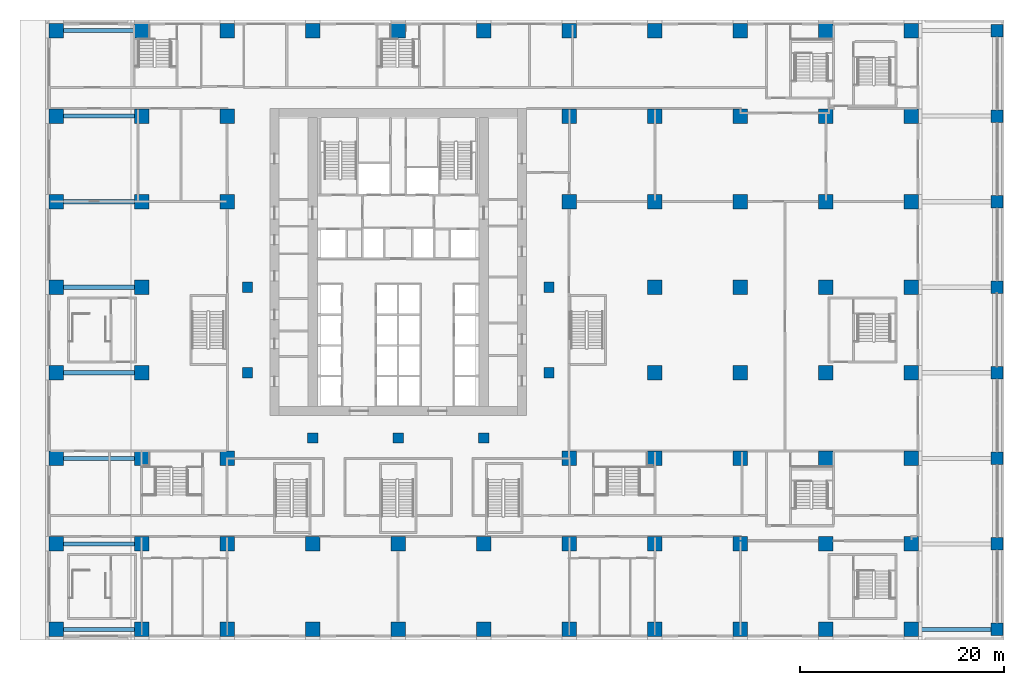
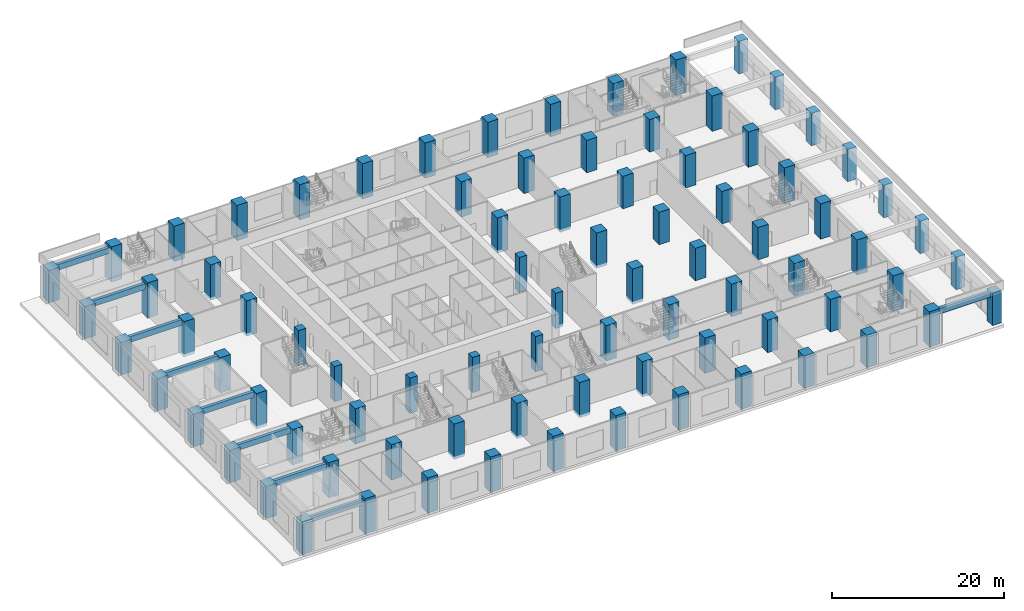
# One storey, part 1 of 29: 84 columns, 9 beams.
"""IFC4 building model written with IfcOpenShell, lengths in metres."""

from ifc_helpers import new_model, si_unit, direction, frame, origin, origin_2d, place, context, subcontext, project, spatial, rectangle, extrude, material, material_profile, profile_set, type_object, element, save


model = new_model("IFC4")

# Units and contexts
model_context = context("Model", 3, precision=1e-05, world=origin(), true_north=direction((0.0, 1.0)))
body_context = subcontext(model_context, "Body", "Model", "MODEL_VIEW")
ifc_project = project(units=[si_unit("LENGTHUNIT", "METRE"), si_unit("AREAUNIT", "SQUARE_METRE"), si_unit("VOLUMEUNIT", "CUBIC_METRE"), si_unit("PLANEANGLEUNIT", "RADIAN"), si_unit("MASSUNIT", "GRAM", prefix="KILO")], contexts=[model_context])

# Site, building, storey
site_placement = place(None, origin())
site = spatial("IfcSite", under=ifc_project, at=site_placement, CompositionType="ELEMENT")
building_placement = place(site_placement, origin())
building = spatial("IfcBuilding", under=site, at=building_placement, Name="Vermilion Ogive Tower", CompositionType="ELEMENT")
storey_placement = place(building_placement, frame((0.0, 0.0, 7.5)))
storey = spatial("IfcBuildingStorey", under=building, at=storey_placement, Name="L01", CompositionType="ELEMENT", Elevation=7.5)

# Columns
ifc_material_1 = material(Name="Concrete B80", Category="concrete")
ifc_material_profile_1 = material_profile(ifc_material_1, rectangle(XDim=1.39990234375, YDim=1.39990234375, at=origin_2d()), Name="1400 x 1400")
ifc_profile_set_1 = profile_set([ifc_material_profile_1], Name="Concrete B80")
column_type_1 = type_object("IfcColumnType", Name="Perimeter column 1400 x 1400 B80", PredefinedType="COLUMN", material=ifc_profile_set_1)
for number, where, z_axis, x_axis, name in (
    (1, (-16.800048828125, -21.0, -0.39990234375), (0.0, 0.0, 1.0), (1.0, 0.0, 0.0), "COL-L01-P-0168-210"),
    (2, (-8.39990234375, -21.0, -0.39990234375), (0.0, 0.0, 1.0), (1.0, 0.0, 0.0), "COL-L01-P-0084-210"),
    (3, (0.0, -21.0, -0.39990234375), (0.0, 0.0, 1.0), (1.0, 0.0, 0.0), "COL-L01-P+0000-210"),
    (4, (8.39990234375, -21.0, -0.39990234375), (0.0, 0.0, 1.0), (1.0, 0.0, 0.0), "COL-L01-P+0084-210"),
    (5, (16.800048828125, -21.0, -0.39990234375), (0.0, 0.0, 1.0), (1.0, 0.0, 0.0), "COL-L01-P+0168-210"),
    (6, (-25.199951171875, -12.60009765625, -0.39990234375), (0.0, 0.0, 1.0), (1.0, 0.0, 0.0), "COL-L01-P-0252-126"),
    (7, (-16.800048828125, -12.60009765625, -0.39990234375), (0.0, 0.0, 1.0), (1.0, 0.0, 0.0), "COL-L01-P-0168-126"),
    (8, (16.800048828125, -12.60009765625, -0.39990234375), (0.0, 0.0, 1.0), (1.0, 0.0, 0.0), "COL-L01-P+0168-126"),
    (9, (25.199951171875, -12.60009765625, -0.39990234375), (0.0, 0.0, 1.0), (1.0, 0.0, 0.0), "COL-L01-P+0252-126"),
    (10, (-25.199951171875, -4.199951171875, -0.39990234375), (0.0, 0.0, 1.0), (1.0, 0.0, 0.0), "COL-L01-P-0252-042"),
    (11, (25.199951171875, -4.199951171875, -0.39990234375), (0.0, 0.0, 1.0), (1.0, 0.0, 0.0), "COL-L01-P+0252-042"),
    (12, (-25.199951171875, 4.199951171875, -0.39990234375), (0.0, 0.0, 1.0), (1.0, 0.0, 0.0), "COL-L01-P-0252+042"),
    (13, (25.199951171875, 4.199951171875, -0.39990234375), (0.0, 0.0, 1.0), (1.0, 0.0, 0.0), "COL-L01-P+0252+042"),
    (14, (-25.199951171875, 12.60009765625, -0.39990234375), (0.0, 0.0, 1.0), (1.0, 0.0, 0.0), "COL-L01-P-0252+126"),
    (15, (-16.800048828125, 12.60009765625, -0.39990234375), (0.0, 0.0, 1.0), (1.0, 0.0, 0.0), "COL-L01-P-0168+126"),
    (16, (16.800048828125, 12.60009765625, -0.39990234375), (0.0, 0.0, 1.0), (1.0, 0.0, 0.0), "COL-L01-P+0168+126"),
    (17, (25.199951171875, 12.60009765625, -0.39990234375), (0.0, 0.0, 1.0), (1.0, 0.0, 0.0), "COL-L01-P+0252+126"),
    (18, (-16.800048828125, 21.0, -0.39990234375), (0.0, 0.0, 1.0), (1.0, 0.0, 0.0), "COL-L01-P-0168+210"),
    (19, (16.800048828125, 21.0, -0.39990234375), (0.0, 0.0, 1.0), (1.0, 0.0, 0.0), "COL-L01-P+0168+210"),
):
    element("IfcColumn", number, at=place(storey_placement, frame(where, z_axis=z_axis, x_axis=x_axis)), inside=storey, type_object=column_type_1, Name=name, PredefinedType="COLUMN", context=body_context, shape_type="SweptSolid", body=[
        extrude(rectangle(XDim=1.39990234375, YDim=1.39990234375, at=origin_2d()), origin(), (0.0, 0.0, 1.0), 5.0),
    ])
ifc_material_2 = material(Name="Concrete B60", Category="concrete")
ifc_material_profile_2 = material_profile(ifc_material_2, rectangle(XDim=1.199951171875, YDim=1.199951171875, at=origin_2d()), Name="RC 1200x1200")
ifc_profile_set_2 = profile_set([ifc_material_profile_2], Name="Concrete B60")
column_type_2 = type_object("IfcColumnType", Name="Podium column RC 1200", PredefinedType="COLUMN", material=ifc_profile_set_2)
for number, where, z_axis, x_axis, name in (
    (20, (58.800048828125, -29.39990234375, 0.0), (0.0, 0.0, 1.0), (1.0, 0.0, 0.0), "Column 1.2 L01"),
    (21, (58.800048828125, -21.0, 0.0), (0.0, 0.0, 1.0), (1.0, 0.0, 0.0), "Column 1.2 L01"),
    (22, (58.800048828125, -12.60009765625, 0.0), (0.0, 0.0, 1.0), (1.0, 0.0, 0.0), "Column 1.2 L01"),
    (23, (58.800048828125, -4.199951171875, 0.0), (0.0, 0.0, 1.0), (1.0, 0.0, 0.0), "Column 1.2 L01"),
    (24, (58.800048828125, 4.199951171875, 0.0), (0.0, 0.0, 1.0), (1.0, 0.0, 0.0), "Column 1.2 L01"),
    (25, (58.800048828125, 12.60009765625, 0.0), (0.0, 0.0, 1.0), (1.0, 0.0, 0.0), "Column 1.2 L01"),
    (26, (58.800048828125, 21.0, 0.0), (0.0, 0.0, 1.0), (1.0, 0.0, 0.0), "Column 1.2 L01"),
    (27, (58.800048828125, 29.39990234375, 0.0), (0.0, 0.0, 1.0), (1.0, 0.0, 0.0), "Column 1.2 L01"),
):
    element("IfcColumn", number, at=place(storey_placement, frame(where, z_axis=z_axis, x_axis=x_axis)), inside=storey, type_object=column_type_2, Name=name, PredefinedType="COLUMN", context=body_context, shape_type="SweptSolid", body=[
        extrude(rectangle(XDim=1.199951171875, YDim=1.199951171875, at=origin_2d()), origin(), (0.0, 0.0, 1.0), 4.60009765625),
    ])
ifc_material_3 = material(Name="Concrete B60", Category="concrete")
ifc_material_profile_3 = material_profile(ifc_material_3, rectangle(XDim=1.39990234375, YDim=1.39990234375, at=origin_2d()), Name="RC 1400x1400")
ifc_profile_set_3 = profile_set([ifc_material_profile_3], Name="Concrete B60")
column_type_3 = type_object("IfcColumnType", Name="Podium column RC 1400", PredefinedType="COLUMN", material=ifc_profile_set_3)
column_1_placement = place(storey_placement, frame((-33.60009765625, -29.39990234375, 0.0), z_axis=(0.0, 0.0, 1.0), x_axis=(1.0, 0.0, 0.0)))
element("IfcColumn", 28, at=column_1_placement, inside=storey, type_object=column_type_3, Name="Column 1.4 L01", PredefinedType="COLUMN", context=body_context, shape_type="SweptSolid", body=[
    extrude(rectangle(XDim=1.39990234375, YDim=1.39990234375, at=origin_2d()), origin(), (0.0, 0.0, 1.0), 4.60009765625),
])
for number, where, z_axis, x_axis, name in (
    (29, (-25.199951171875, -29.39990234375, 0.0), (0.0, 0.0, 1.0), (1.0, 0.0, 0.0), "Column 1.4 L01"),
    (30, (-16.800048828125, -29.39990234375, 0.0), (0.0, 0.0, 1.0), (1.0, 0.0, 0.0), "Column 1.4 L01"),
    (31, (-8.39990234375, -29.39990234375, 0.0), (0.0, 0.0, 1.0), (1.0, 0.0, 0.0), "Column 1.4 L01"),
    (32, (0.0, -29.39990234375, 0.0), (0.0, 0.0, 1.0), (1.0, 0.0, 0.0), "Column 1.4 L01"),
    (33, (8.39990234375, -29.39990234375, 0.0), (0.0, 0.0, 1.0), (1.0, 0.0, 0.0), "Column 1.4 L01"),
    (34, (16.800048828125, -29.39990234375, 0.0), (0.0, 0.0, 1.0), (1.0, 0.0, 0.0), "Column 1.4 L01"),
    (35, (25.199951171875, -29.39990234375, 0.0), (0.0, 0.0, 1.0), (1.0, 0.0, 0.0), "Column 1.4 L01"),
):
    element("IfcColumn", number, at=place(storey_placement, frame(where, z_axis=z_axis, x_axis=x_axis)), inside=storey, type_object=column_type_3, Name=name, PredefinedType="COLUMN", context=body_context, shape_type="SweptSolid", body=[
        extrude(rectangle(XDim=1.39990234375, YDim=1.39990234375, at=origin_2d()), origin(), (0.0, 0.0, 1.0), 5.0),
    ])
for number, where, z_axis, x_axis, name in (
    (36, (33.60009765625, -29.39990234375, 0.0), (0.0, 0.0, 1.0), (1.0, 0.0, 0.0), "Column 1.4 L01"),
    (37, (42.0, -29.39990234375, 0.0), (0.0, 0.0, 1.0), (1.0, 0.0, 0.0), "Column 1.4 L01"),
):
    element("IfcColumn", number, at=place(storey_placement, frame(where, z_axis=z_axis, x_axis=x_axis)), inside=storey, type_object=column_type_3, Name=name, PredefinedType="COLUMN", context=body_context, shape_type="SweptSolid", body=[
        extrude(rectangle(XDim=1.39990234375, YDim=1.39990234375, at=origin_2d()), origin(), (0.0, 0.0, 1.0), 4.60009765625),
    ])
column_2_placement = place(storey_placement, frame((50.39990234375, -29.39990234375, 0.0), z_axis=(0.0, 0.0, 1.0), x_axis=(1.0, 0.0, 0.0)))
element("IfcColumn", 38, at=column_2_placement, inside=storey, type_object=column_type_3, Name="Column 1.4 L01", PredefinedType="COLUMN", context=body_context, shape_type="SweptSolid", body=[
    extrude(rectangle(XDim=1.39990234375, YDim=1.39990234375, at=origin_2d()), origin(), (0.0, 0.0, 1.0), 5.0),
])
column_3_placement = place(storey_placement, frame((-33.60009765625, -21.0, 0.0), z_axis=(0.0, 0.0, 1.0), x_axis=(1.0, 0.0, 0.0)))
element("IfcColumn", 39, at=column_3_placement, inside=storey, type_object=column_type_3, Name="Column 1.4 L01", PredefinedType="COLUMN", context=body_context, shape_type="SweptSolid", body=[
    extrude(rectangle(XDim=1.39990234375, YDim=1.39990234375, at=origin_2d()), origin(), (0.0, 0.0, 1.0), 4.60009765625),
])
for number, where, z_axis, x_axis, name in (
    (40, (-25.199951171875, -21.0, 0.0), (0.0, 0.0, 1.0), (1.0, 0.0, 0.0), "Column 1.4 L01"),
    (41, (25.199951171875, -21.0, 0.0), (0.0, 0.0, 1.0), (1.0, 0.0, 0.0), "Column 1.4 L01"),
):
    element("IfcColumn", number, at=place(storey_placement, frame(where, z_axis=z_axis, x_axis=x_axis)), inside=storey, type_object=column_type_3, Name=name, PredefinedType="COLUMN", context=body_context, shape_type="SweptSolid", body=[
        extrude(rectangle(XDim=1.39990234375, YDim=1.39990234375, at=origin_2d()), origin(), (0.0, 0.0, 1.0), 5.0),
    ])
for number, where, z_axis, x_axis, name in (
    (42, (33.60009765625, -21.0, 0.0), (0.0, 0.0, 1.0), (1.0, 0.0, 0.0), "Column 1.4 L01"),
    (43, (42.0, -21.0, 0.0), (0.0, 0.0, 1.0), (1.0, 0.0, 0.0), "Column 1.4 L01"),
):
    element("IfcColumn", number, at=place(storey_placement, frame(where, z_axis=z_axis, x_axis=x_axis)), inside=storey, type_object=column_type_3, Name=name, PredefinedType="COLUMN", context=body_context, shape_type="SweptSolid", body=[
        extrude(rectangle(XDim=1.39990234375, YDim=1.39990234375, at=origin_2d()), origin(), (0.0, 0.0, 1.0), 4.60009765625),
    ])
column_4_placement = place(storey_placement, frame((50.39990234375, -21.0, 0.0), z_axis=(0.0, 0.0, 1.0), x_axis=(1.0, 0.0, 0.0)))
element("IfcColumn", 44, at=column_4_placement, inside=storey, type_object=column_type_3, Name="Column 1.4 L01", PredefinedType="COLUMN", context=body_context, shape_type="SweptSolid", body=[
    extrude(rectangle(XDim=1.39990234375, YDim=1.39990234375, at=origin_2d()), origin(), (0.0, 0.0, 1.0), 5.0),
])
for number, where, z_axis, x_axis, name in (
    (45, (-33.60009765625, -12.60009765625, 0.0), (0.0, 0.0, 1.0), (1.0, 0.0, 0.0), "Column 1.4 L01"),
    (46, (33.60009765625, -12.60009765625, 0.0), (0.0, 0.0, 1.0), (1.0, 0.0, 0.0), "Column 1.4 L01"),
    (47, (42.0, -12.60009765625, 0.0), (0.0, 0.0, 1.0), (1.0, 0.0, 0.0), "Column 1.4 L01"),
):
    element("IfcColumn", number, at=place(storey_placement, frame(where, z_axis=z_axis, x_axis=x_axis)), inside=storey, type_object=column_type_3, Name=name, PredefinedType="COLUMN", context=body_context, shape_type="SweptSolid", body=[
        extrude(rectangle(XDim=1.39990234375, YDim=1.39990234375, at=origin_2d()), origin(), (0.0, 0.0, 1.0), 4.60009765625),
    ])
column_5_placement = place(storey_placement, frame((50.39990234375, -12.60009765625, 0.0), z_axis=(0.0, 0.0, 1.0), x_axis=(1.0, 0.0, 0.0)))
element("IfcColumn", 48, at=column_5_placement, inside=storey, type_object=column_type_3, Name="Column 1.4 L01", PredefinedType="COLUMN", context=body_context, shape_type="SweptSolid", body=[
    extrude(rectangle(XDim=1.39990234375, YDim=1.39990234375, at=origin_2d()), origin(), (0.0, 0.0, 1.0), 5.0),
])
for number, where, z_axis, x_axis, name in (
    (49, (-33.60009765625, -4.199951171875, 0.0), (0.0, 0.0, 1.0), (1.0, 0.0, 0.0), "Column 1.4 L01"),
    (50, (33.60009765625, -4.199951171875, 0.0), (0.0, 0.0, 1.0), (1.0, 0.0, 0.0), "Column 1.4 L01"),
    (51, (42.0, -4.199951171875, 0.0), (0.0, 0.0, 1.0), (1.0, 0.0, 0.0), "Column 1.4 L01"),
):
    element("IfcColumn", number, at=place(storey_placement, frame(where, z_axis=z_axis, x_axis=x_axis)), inside=storey, type_object=column_type_3, Name=name, PredefinedType="COLUMN", context=body_context, shape_type="SweptSolid", body=[
        extrude(rectangle(XDim=1.39990234375, YDim=1.39990234375, at=origin_2d()), origin(), (0.0, 0.0, 1.0), 4.60009765625),
    ])
column_6_placement = place(storey_placement, frame((50.39990234375, -4.199951171875, 0.0), z_axis=(0.0, 0.0, 1.0), x_axis=(1.0, 0.0, 0.0)))
element("IfcColumn", 52, at=column_6_placement, inside=storey, type_object=column_type_3, Name="Column 1.4 L01", PredefinedType="COLUMN", context=body_context, shape_type="SweptSolid", body=[
    extrude(rectangle(XDim=1.39990234375, YDim=1.39990234375, at=origin_2d()), origin(), (0.0, 0.0, 1.0), 5.0),
])
for number, where, z_axis, x_axis, name in (
    (53, (-33.60009765625, 4.199951171875, 0.0), (0.0, 0.0, 1.0), (1.0, 0.0, 0.0), "Column 1.4 L01"),
    (54, (33.60009765625, 4.199951171875, 0.0), (0.0, 0.0, 1.0), (1.0, 0.0, 0.0), "Column 1.4 L01"),
    (55, (42.0, 4.199951171875, 0.0), (0.0, 0.0, 1.0), (1.0, 0.0, 0.0), "Column 1.4 L01"),
):
    element("IfcColumn", number, at=place(storey_placement, frame(where, z_axis=z_axis, x_axis=x_axis)), inside=storey, type_object=column_type_3, Name=name, PredefinedType="COLUMN", context=body_context, shape_type="SweptSolid", body=[
        extrude(rectangle(XDim=1.39990234375, YDim=1.39990234375, at=origin_2d()), origin(), (0.0, 0.0, 1.0), 4.60009765625),
    ])
column_7_placement = place(storey_placement, frame((50.39990234375, 4.199951171875, 0.0), z_axis=(0.0, 0.0, 1.0), x_axis=(1.0, 0.0, 0.0)))
element("IfcColumn", 56, at=column_7_placement, inside=storey, type_object=column_type_3, Name="Column 1.4 L01", PredefinedType="COLUMN", context=body_context, shape_type="SweptSolid", body=[
    extrude(rectangle(XDim=1.39990234375, YDim=1.39990234375, at=origin_2d()), origin(), (0.0, 0.0, 1.0), 5.0),
])
for number, where, z_axis, x_axis, name in (
    (57, (-33.60009765625, 12.60009765625, 0.0), (0.0, 0.0, 1.0), (1.0, 0.0, 0.0), "Column 1.4 L01"),
    (58, (33.60009765625, 12.60009765625, 0.0), (0.0, 0.0, 1.0), (1.0, 0.0, 0.0), "Column 1.4 L01"),
    (59, (42.0, 12.60009765625, 0.0), (0.0, 0.0, 1.0), (1.0, 0.0, 0.0), "Column 1.4 L01"),
):
    element("IfcColumn", number, at=place(storey_placement, frame(where, z_axis=z_axis, x_axis=x_axis)), inside=storey, type_object=column_type_3, Name=name, PredefinedType="COLUMN", context=body_context, shape_type="SweptSolid", body=[
        extrude(rectangle(XDim=1.39990234375, YDim=1.39990234375, at=origin_2d()), origin(), (0.0, 0.0, 1.0), 4.60009765625),
    ])
column_8_placement = place(storey_placement, frame((50.39990234375, 12.60009765625, 0.0), z_axis=(0.0, 0.0, 1.0), x_axis=(1.0, 0.0, 0.0)))
element("IfcColumn", 60, at=column_8_placement, inside=storey, type_object=column_type_3, Name="Column 1.4 L01", PredefinedType="COLUMN", context=body_context, shape_type="SweptSolid", body=[
    extrude(rectangle(XDim=1.39990234375, YDim=1.39990234375, at=origin_2d()), origin(), (0.0, 0.0, 1.0), 5.0),
])
column_9_placement = place(storey_placement, frame((-33.60009765625, 21.0, 0.0), z_axis=(0.0, 0.0, 1.0), x_axis=(1.0, 0.0, 0.0)))
element("IfcColumn", 61, at=column_9_placement, inside=storey, type_object=column_type_3, Name="Column 1.4 L01", PredefinedType="COLUMN", context=body_context, shape_type="SweptSolid", body=[
    extrude(rectangle(XDim=1.39990234375, YDim=1.39990234375, at=origin_2d()), origin(), (0.0, 0.0, 1.0), 4.60009765625),
])
for number, where, z_axis, x_axis, name in (
    (62, (-25.199951171875, 21.0, 0.0), (0.0, 0.0, 1.0), (1.0, 0.0, 0.0), "Column 1.4 L01"),
    (63, (25.199951171875, 21.0, 0.0), (0.0, 0.0, 1.0), (1.0, 0.0, 0.0), "Column 1.4 L01"),
):
    element("IfcColumn", number, at=place(storey_placement, frame(where, z_axis=z_axis, x_axis=x_axis)), inside=storey, type_object=column_type_3, Name=name, PredefinedType="COLUMN", context=body_context, shape_type="SweptSolid", body=[
        extrude(rectangle(XDim=1.39990234375, YDim=1.39990234375, at=origin_2d()), origin(), (0.0, 0.0, 1.0), 5.0),
    ])
for number, where, z_axis, x_axis, name in (
    (64, (33.60009765625, 21.0, 0.0), (0.0, 0.0, 1.0), (1.0, 0.0, 0.0), "Column 1.4 L01"),
    (65, (42.0, 21.0, 0.0), (0.0, 0.0, 1.0), (1.0, 0.0, 0.0), "Column 1.4 L01"),
):
    element("IfcColumn", number, at=place(storey_placement, frame(where, z_axis=z_axis, x_axis=x_axis)), inside=storey, type_object=column_type_3, Name=name, PredefinedType="COLUMN", context=body_context, shape_type="SweptSolid", body=[
        extrude(rectangle(XDim=1.39990234375, YDim=1.39990234375, at=origin_2d()), origin(), (0.0, 0.0, 1.0), 4.60009765625),
    ])
column_10_placement = place(storey_placement, frame((50.39990234375, 21.0, 0.0), z_axis=(0.0, 0.0, 1.0), x_axis=(1.0, 0.0, 0.0)))
element("IfcColumn", 66, at=column_10_placement, inside=storey, type_object=column_type_3, Name="Column 1.4 L01", PredefinedType="COLUMN", context=body_context, shape_type="SweptSolid", body=[
    extrude(rectangle(XDim=1.39990234375, YDim=1.39990234375, at=origin_2d()), origin(), (0.0, 0.0, 1.0), 5.0),
])
column_11_placement = place(storey_placement, frame((-33.60009765625, 29.39990234375, 0.0), z_axis=(0.0, 0.0, 1.0), x_axis=(1.0, 0.0, 0.0)))
element("IfcColumn", 67, at=column_11_placement, inside=storey, type_object=column_type_3, Name="Column 1.4 L01", PredefinedType="COLUMN", context=body_context, shape_type="SweptSolid", body=[
    extrude(rectangle(XDim=1.39990234375, YDim=1.39990234375, at=origin_2d()), origin(), (0.0, 0.0, 1.0), 4.60009765625),
])
for number, where, z_axis, x_axis, name in (
    (68, (-25.199951171875, 29.39990234375, 0.0), (0.0, 0.0, 1.0), (1.0, 0.0, 0.0), "Column 1.4 L01"),
    (69, (-16.800048828125, 29.39990234375, 0.0), (0.0, 0.0, 1.0), (1.0, 0.0, 0.0), "Column 1.4 L01"),
    (70, (-8.39990234375, 29.39990234375, 0.0), (0.0, 0.0, 1.0), (1.0, 0.0, 0.0), "Column 1.4 L01"),
    (71, (0.0, 29.39990234375, 0.0), (0.0, 0.0, 1.0), (1.0, 0.0, 0.0), "Column 1.4 L01"),
    (72, (8.39990234375, 29.39990234375, 0.0), (0.0, 0.0, 1.0), (1.0, 0.0, 0.0), "Column 1.4 L01"),
    (73, (16.800048828125, 29.39990234375, 0.0), (0.0, 0.0, 1.0), (1.0, 0.0, 0.0), "Column 1.4 L01"),
    (74, (25.199951171875, 29.39990234375, 0.0), (0.0, 0.0, 1.0), (1.0, 0.0, 0.0), "Column 1.4 L01"),
):
    element("IfcColumn", number, at=place(storey_placement, frame(where, z_axis=z_axis, x_axis=x_axis)), inside=storey, type_object=column_type_3, Name=name, PredefinedType="COLUMN", context=body_context, shape_type="SweptSolid", body=[
        extrude(rectangle(XDim=1.39990234375, YDim=1.39990234375, at=origin_2d()), origin(), (0.0, 0.0, 1.0), 5.0),
    ])
for number, where, z_axis, x_axis, name in (
    (75, (33.60009765625, 29.39990234375, 0.0), (0.0, 0.0, 1.0), (1.0, 0.0, 0.0), "Column 1.4 L01"),
    (76, (42.0, 29.39990234375, 0.0), (0.0, 0.0, 1.0), (1.0, 0.0, 0.0), "Column 1.4 L01"),
):
    element("IfcColumn", number, at=place(storey_placement, frame(where, z_axis=z_axis, x_axis=x_axis)), inside=storey, type_object=column_type_3, Name=name, PredefinedType="COLUMN", context=body_context, shape_type="SweptSolid", body=[
        extrude(rectangle(XDim=1.39990234375, YDim=1.39990234375, at=origin_2d()), origin(), (0.0, 0.0, 1.0), 4.60009765625),
    ])
column_12_placement = place(storey_placement, frame((50.39990234375, 29.39990234375, 0.0), z_axis=(0.0, 0.0, 1.0), x_axis=(1.0, 0.0, 0.0)))
element("IfcColumn", 77, at=column_12_placement, inside=storey, type_object=column_type_3, Name="Column 1.4 L01", PredefinedType="COLUMN", context=body_context, shape_type="SweptSolid", body=[
    extrude(rectangle(XDim=1.39990234375, YDim=1.39990234375, at=origin_2d()), origin(), (0.0, 0.0, 1.0), 5.0),
])
ifc_material_4 = material(Name="Concrete B80", Category="concrete")
ifc_material_profile_4 = material_profile(ifc_material_4, rectangle(XDim=1.0, YDim=1.0, at=origin_2d()), Name="1000 x 1000")
ifc_profile_set_4 = profile_set([ifc_material_profile_4], Name="Concrete B80")
column_type_4 = type_object("IfcColumnType", Name="Ring column 1000 x 1000 B80", PredefinedType="COLUMN", material=ifc_profile_set_4)
for number, where, z_axis, x_axis, name in (
    (78, (-8.39990234375, -10.60009765625, -0.39990234375), (0.0, 0.0, 1.0), (1.0, 0.0, 0.0), "COL-L01-R-0084-106"),
    (79, (0.0, -10.60009765625, -0.39990234375), (0.0, 0.0, 1.0), (1.0, 0.0, 0.0), "COL-L01-R+0000-106"),
    (80, (8.39990234375, -10.60009765625, -0.39990234375), (0.0, 0.0, 1.0), (1.0, 0.0, 0.0), "COL-L01-R+0084-106"),
    (81, (-14.800048828125, -4.199951171875, -0.39990234375), (0.0, 0.0, 1.0), (1.0, 0.0, 0.0), "COL-L01-R-0148-042"),
    (82, (14.800048828125, -4.199951171875, -0.39990234375), (0.0, 0.0, 1.0), (1.0, 0.0, 0.0), "COL-L01-R+0148-042"),
    (83, (-14.800048828125, 4.199951171875, -0.39990234375), (0.0, 0.0, 1.0), (1.0, 0.0, 0.0), "COL-L01-R-0148+042"),
    (84, (14.800048828125, 4.199951171875, -0.39990234375), (0.0, 0.0, 1.0), (1.0, 0.0, 0.0), "COL-L01-R+0148+042"),
):
    element("IfcColumn", number, at=place(storey_placement, frame(where, z_axis=z_axis, x_axis=x_axis)), inside=storey, type_object=column_type_4, Name=name, PredefinedType="COLUMN", context=body_context, shape_type="SweptSolid", body=[
        extrude(rectangle(XDim=1.0, YDim=1.0, at=origin_2d()), origin(), (0.0, 0.0, 1.0), 5.0),
    ])

# Beams
ifc_material_5 = material(Name="Concrete B45", Category="concrete")
ifc_material_profile_5 = material_profile(ifc_material_5, rectangle(XDim=0.39990234375, YDim=0.800048828125, at=origin_2d()), Name="RC 400x800")
ifc_profile_set_5 = profile_set([ifc_material_profile_5], Name="Concrete B45")
beam_type = type_object("IfcBeamType", Name="Terrace roof beam TB1 400x800", PredefinedType="BEAM", material=ifc_profile_set_5)
beam_placement = place(storey_placement, frame((58.199951171875, -29.39990234375, 4.199951171875), z_axis=(-1.0, 0.0, 0.0), x_axis=(0.0, -1.0, 0.0)))
element("IfcBeam", 85, at=beam_placement, inside=storey, type_object=beam_type, Name="Terrace roof beam L01 1-1", PredefinedType="BEAM", context=body_context, shape_type="SweptSolid", body=[
    extrude(rectangle(XDim=0.39990234375, YDim=0.800048828125, at=origin_2d()), origin(), (0.0, 0.0, 1.0), 7.099853515625),
])
for number, where, z_axis, x_axis, name in (
    (86, (-32.89990234375, -29.39990234375, 4.199951171875), (1.0, 0.0, 0.0), (0.0, 1.0, 0.0), "Terrace roof beam L01 2-1"),
    (87, (-32.89990234375, -21.0, 4.199951171875), (1.0, 0.0, 0.0), (0.0, 1.0, 0.0), "Terrace roof beam L01 2-2"),
    (88, (-32.89990234375, -12.60009765625, 4.199951171875), (1.0, 0.0, 0.0), (0.0, 1.0, 0.0), "Terrace roof beam L01 2-3"),
    (89, (-32.89990234375, -4.199951171875, 4.199951171875), (1.0, 0.0, 0.0), (0.0, 1.0, 0.0), "Terrace roof beam L01 2-4"),
    (90, (-32.89990234375, 4.199951171875, 4.199951171875), (1.0, 0.0, 0.0), (0.0, 1.0, 0.0), "Terrace roof beam L01 2-5"),
    (91, (-32.89990234375, 12.60009765625, 4.199951171875), (1.0, 0.0, 0.0), (0.0, 1.0, 0.0), "Terrace roof beam L01 2-6"),
    (92, (-32.89990234375, 21.0, 4.199951171875), (1.0, 0.0, 0.0), (0.0, 1.0, 0.0), "Terrace roof beam L01 2-7"),
    (93, (-32.89990234375, 29.39990234375, 4.199951171875), (1.0, 0.0, 0.0), (0.0, 1.0, 0.0), "Terrace roof beam L01 2-8"),
):
    element("IfcBeam", number, at=place(storey_placement, frame(where, z_axis=z_axis, x_axis=x_axis)), inside=storey, type_object=beam_type, Name=name, PredefinedType="BEAM", context=body_context, shape_type="SweptSolid", body=[
        extrude(rectangle(XDim=0.39990234375, YDim=0.800048828125, at=origin_2d()), origin(), (0.0, 0.0, 1.0), 7.0),
    ])

save(model, "model.ifc")
